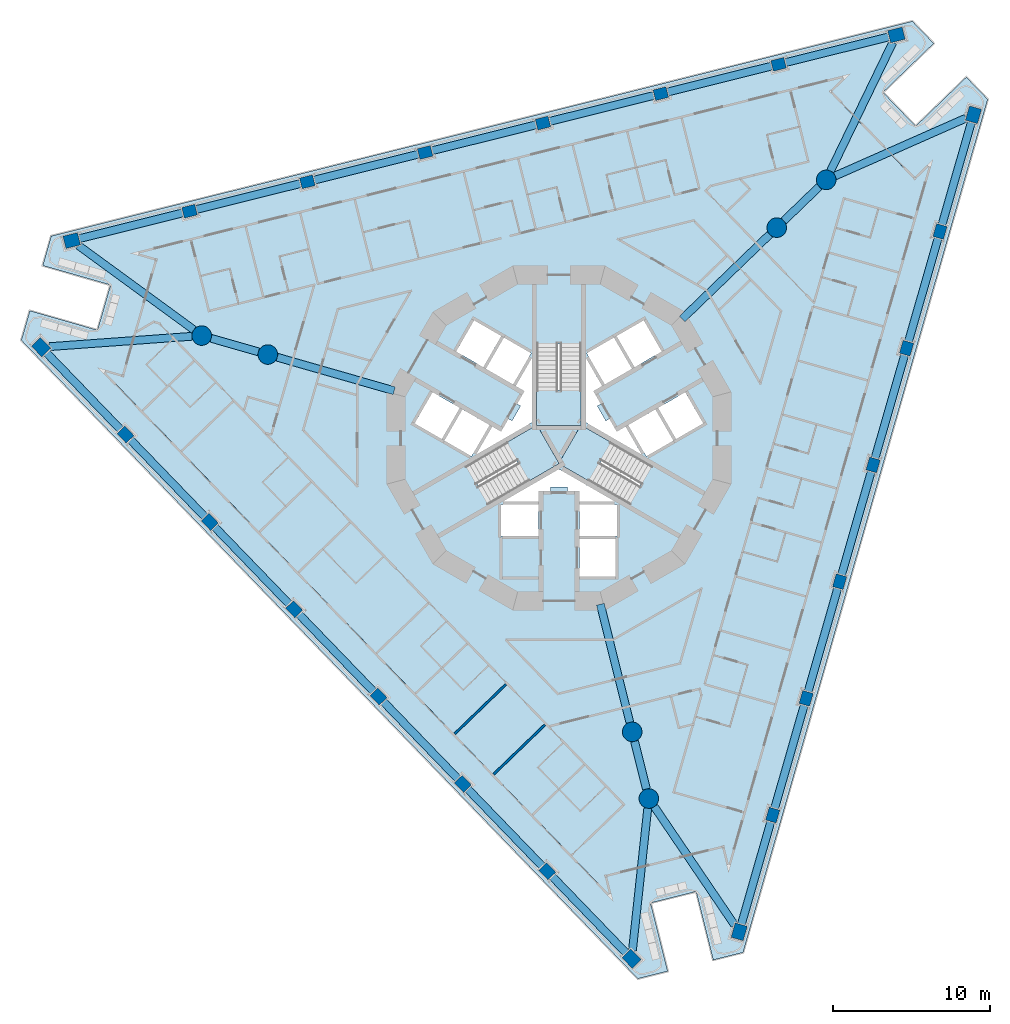
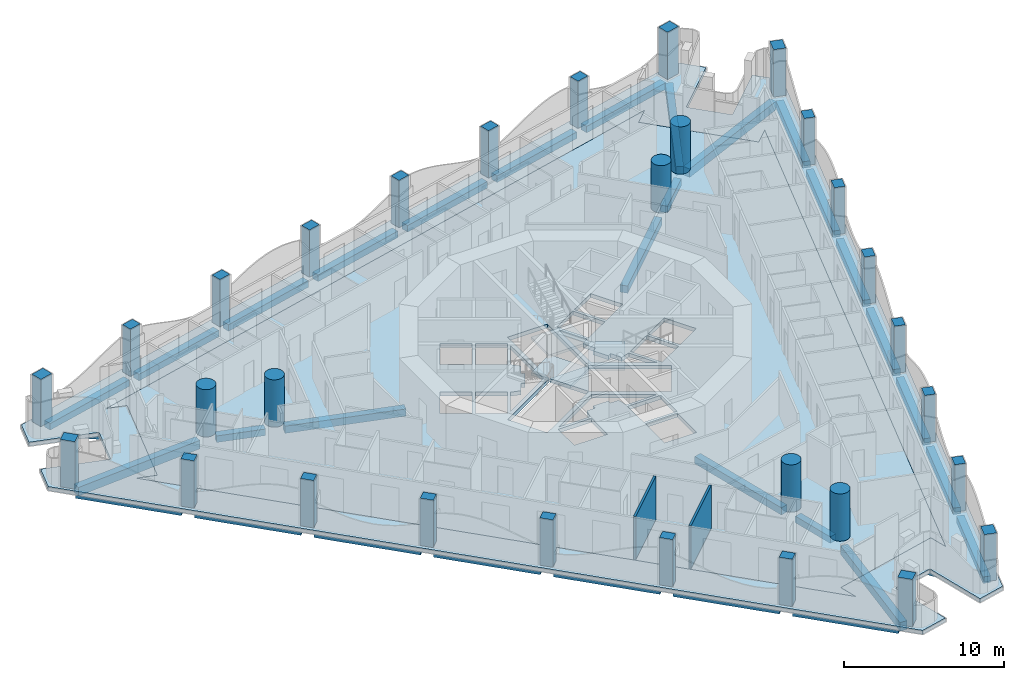
# One storey, part 1 of 19: 33 beams, 30 columns, 6 slabs, 2 walls, 3 elements without a shape of their own.
"""IFC4 building model written with IfcOpenShell, lengths in metres."""

from ifc_helpers import new_model, si_unit, direction, frame, frame_2d, origin, origin_2d, place, context, subcontext, project, spatial, polyline, rectangle, circle, outline, extrude, material, layer, layer_set, material_profile, profile_set, type_object, element, aggregate, save


model = new_model("IFC4")

# Units and contexts
model_context = context("Model", 3, precision=1e-05, world=origin(), true_north=direction((0.0, 1.0)))
body_context = subcontext(model_context, "Body", "Model", "MODEL_VIEW")
ifc_project = project(units=[si_unit("LENGTHUNIT", "METRE"), si_unit("AREAUNIT", "SQUARE_METRE"), si_unit("VOLUMEUNIT", "CUBIC_METRE"), si_unit("PLANEANGLEUNIT", "RADIAN"), si_unit("MASSUNIT", "GRAM", prefix="KILO")], contexts=[model_context])

# Site, building, storey
site_placement = place(None, origin())
site = spatial("IfcSite", under=ifc_project, at=site_placement, CompositionType="ELEMENT")
building_placement = place(site_placement, origin())
building = spatial("IfcBuilding", under=site, at=building_placement, Name="Trine Commons Tower", CompositionType="ELEMENT")
storey_placement = place(building_placement, frame((0.0, 0.0, 105.300048828125)))
storey = spatial("IfcBuildingStorey", under=building, at=storey_placement, Name="L26", CompositionType="ELEMENT", Elevation=105.300048828125)

# Columns
ifc_material_1 = material(Name="Concrete C70/85", Category="concrete")
ifc_material_profile_1 = material_profile(ifc_material_1, rectangle(XDim=0.85009765625, YDim=0.699951171875, at=origin_2d()), Name="RC 850x700")
ifc_profile_set_1 = profile_set([ifc_material_profile_1], Name="Concrete C70/85")
column_type_1 = type_object("IfcColumnType", Name="RC column 850x700, C70/85", PredefinedType="COLUMN", material=ifc_profile_set_1)
for number, where, z_axis, x_axis, name in (
    (1, (79.251708984375, 34.81640625, 0.0), (0.0, 0.0, 1.0), (-0.694658370459, 0.719339800339, 0.0), "Column PC3-02 L26"),
    (2, (73.86279296875, 40.396728515625, 0.0), (0.0, 0.0, 1.0), (-0.694658370459, 0.719339800339, 0.0), "Column PC3-03 L26"),
    (3, (68.473876953125, 45.977294921875, 0.0), (0.0, 0.0, 1.0), (-0.694658370459, 0.719339800339, 0.0), "Column PC3-04 L26"),
    (4, (63.0849609375, 51.5576171875, 0.0), (0.0, 0.0, 1.0), (-0.694658370459, 0.719339800339, 0.0), "Column PC3-05 L26"),
    (5, (57.696044921875, 57.137939453125, 0.0), (0.0, 0.0, 1.0), (-0.694658370459, 0.719339800339, 0.0), "Column PC3-06 L26"),
    (6, (52.30712890625, 62.71826171875, 0.0), (0.0, 0.0, 1.0), (-0.694658370459, 0.719339800339, 0.0), "Column PC3-07 L26"),
    (7, (56.3994140625, 76.98974609375, 0.0), (0.0, 0.0, 1.0), (0.970295726276, 0.2419218956, 0.0), "Column PC3-10 L26"),
    (8, (63.926513671875, 78.86669921875, 0.0), (0.0, 0.0, 1.0), (0.970295726276, 0.2419218956, 0.0), "Column PC3-11 L26"),
    (9, (71.453857421875, 80.743408203125, 0.0), (0.0, 0.0, 1.0), (0.970295726276, 0.2419218956, 0.0), "Column PC3-12 L26"),
    (10, (78.981201171875, 82.6201171875, 0.0), (0.0, 0.0, 1.0), (0.970295726276, 0.2419218956, 0.0), "Column PC3-13 L26"),
    (11, (86.50830078125, 84.496826171875, 0.0), (0.0, 0.0, 1.0), (0.970295726276, 0.2419218956, 0.0), "Column PC3-14 L26"),
    (12, (94.035400390625, 86.37353515625, 0.0), (0.0, 0.0, 1.0), (0.970295726276, 0.2419218956, 0.0), "Column PC3-15 L26"),
    (13, (104.348876953125, 75.69384765625, 0.0), (0.0, 0.0, 1.0), (0.275637355817, 0.961261695938, 0.0), "Column PC3-18 L26"),
    (14, (102.210693359375, 68.23681640625, 0.0), (0.0, 0.0, 1.0), (0.275637355817, 0.961261695938, 0.0), "Column PC3-19 L26"),
    (15, (100.072265625, 60.779541015625, 0.0), (0.0, 0.0, 1.0), (0.275637355817, 0.961261695938, 0.0), "Column PC3-20 L26"),
    (16, (97.93408203125, 53.322509765625, 0.0), (0.0, 0.0, 1.0), (0.275637355817, 0.961261695938, 0.0), "Column PC3-21 L26"),
    (17, (95.795654296875, 45.865234375, 0.0), (0.0, 0.0, 1.0), (0.275637355817, 0.961261695938, 0.0), "Column PC3-22 L26"),
    (18, (93.657470703125, 38.408203125, 0.0), (0.0, 0.0, 1.0), (0.275637355817, 0.961261695938, 0.0), "Column PC3-23 L26"),
):
    element("IfcColumn", number, at=place(storey_placement, frame(where, z_axis=z_axis, x_axis=x_axis)), inside=storey, type_object=column_type_1, Name=name, PredefinedType="COLUMN", context=body_context, shape_type="SweptSolid", body=[
        extrude(rectangle(XDim=0.85009765625, YDim=0.699951171875, at=origin_2d()), origin(), (0.0, 0.0, 1.0), 3.599853515625),
    ])
ifc_material_profile_2 = material_profile(ifc_material_1, rectangle(XDim=0.949951171875, YDim=0.800048828125, at=origin_2d()), Name="RC 950x800")
ifc_profile_set_2 = profile_set([ifc_material_profile_2], Name="Concrete C70/85")
column_type_2 = type_object("IfcColumnType", Name="RC column 950x800, C70/85", PredefinedType="COLUMN", material=ifc_profile_set_2)
for number, where, z_axis, x_axis, name in (
    (19, (84.640625, 29.236083984375, 0.0), (0.0, 0.0, 1.0), (-0.694658370459, 0.719339800339, 0.0), "Column PC3-01 L26"),
    (20, (46.918212890625, 68.298583984375, 0.0), (0.0, 0.0, 1.0), (-0.694658370459, 0.719339800339, 0.0), "Column PC3-08 L26"),
    (21, (48.872314453125, 75.113037109375, 0.0), (0.0, 0.0, 1.0), (0.970295726276, 0.2419218956, 0.0), "Column PC3-09 L26"),
    (22, (101.562744140625, 88.250244140625, 0.0), (0.0, 0.0, 1.0), (0.970295726276, 0.2419218956, 0.0), "Column PC3-16 L26"),
    (23, (106.4873046875, 83.15087890625, 0.0), (0.0, 0.0, 1.0), (0.275637355817, 0.961261695938, 0.0), "Column PC3-17 L26"),
    (24, (91.51904296875, 30.950927734375, 0.0), (0.0, 0.0, 1.0), (0.275637355817, 0.961261695938, 0.0), "Column PC3-24 L26"),
):
    element("IfcColumn", number, at=place(storey_placement, frame(where, z_axis=z_axis, x_axis=x_axis)), inside=storey, type_object=column_type_2, Name=name, PredefinedType="COLUMN", context=body_context, shape_type="SweptSolid", body=[
        extrude(rectangle(XDim=0.949951171875, YDim=0.800048828125, at=origin_2d()), origin(), (0.0, 0.0, 1.0), 3.599853515625),
    ])
ifc_material_profile_3 = material_profile(ifc_material_1, circle(Radius=0.625, at=origin_2d()), Name="RC round 1250")
ifc_profile_set_3 = profile_set([ifc_material_profile_3], Name="Concrete C70/85")
column_type_3 = type_object("IfcColumnType", Name="RC round column 1250 mm, C70/85", PredefinedType="COLUMN", material=ifc_profile_set_3)
for number, where, z_axis, x_axis, name in (
    (25, (84.6806640625, 43.726806640625, 0.0), (0.0, 0.0, 1.0), (1.0, 0.0, 0.0), "Column WC3-1 L26"),
    (26, (85.742919921875, 39.4658203125, 0.0), (0.0, 0.0, 1.0), (1.0, 0.0, 0.0), "Column WC3-2 L26"),
    (27, (93.917724609375, 75.940185546875, 0.0), (0.0, 0.0, 1.0), (1.0, 0.0, 0.0), "Column WC3-3 L26"),
    (28, (97.07666015625, 78.99072265625, 0.0), (0.0, 0.0, 1.0), (1.0, 0.0, 0.0), "Column WC3-4 L26"),
    (29, (61.401611328125, 67.8330078125, 0.0), (0.0, 0.0, 1.0), (1.0, 0.0, 0.0), "Column WC3-5 L26"),
    (30, (57.180419921875, 69.04345703125, 0.0), (0.0, 0.0, 1.0), (1.0, 0.0, 0.0), "Column WC3-6 L26"),
):
    element("IfcColumn", number, at=place(storey_placement, frame(where, z_axis=z_axis, x_axis=x_axis)), inside=storey, type_object=column_type_3, Name=name, PredefinedType="COLUMN", context=body_context, shape_type="SweptSolid", body=[
        extrude(circle(Radius=0.625, at=origin_2d()), origin(), (0.0, 0.0, 1.0), 3.599853515625),
    ])

# Beams
ifc_material_2 = material(Name="Concrete C50/60", Category="concrete")
ifc_material_profile_4 = material_profile(ifc_material_2, rectangle(XDim=0.5, YDim=0.5, at=origin_2d()), Name="RC 500x500")
ifc_profile_set_4 = profile_set([ifc_material_profile_4], Name="Concrete C50/60")
beam_type_1 = type_object("IfcBeamType", Name="RC beam 500x500, C50/60", PredefinedType="BEAM", material=ifc_profile_set_4)
beam_1_placement = place(storey_placement, frame((84.310791015625, 29.57763671875, -0.550048828125), z_axis=(-0.694663760793, 0.719334594915, 0.0), x_axis=(-0.719334594915, -0.694663760793, 0.0)))
element("IfcBeam", 31, at=beam_1_placement, inside=storey, type_object=beam_type_1, Name="Beam EB3-01 L26", PredefinedType="BEAM", context=body_context, shape_type="SweptSolid", body=[
    extrude(rectangle(XDim=0.5, YDim=0.5, at=origin_2d()), origin(), (0.0, 0.0, 1.0), 6.85791015625),
])
for number, where, z_axis, x_axis, name in (
    (32, (78.95654296875, 35.1220703125, -0.550048828125), (-0.694664521959, 0.719333859854, 0.0), (-0.719333859854, -0.694664521959, 0.0), "Beam EB3-02 L26"),
    (33, (73.567626953125, 40.702392578125, -0.550048828125), (-0.694664521959, 0.719333859854, 0.0), (-0.719333859854, -0.694664521959, 0.0), "Beam EB3-03 L26"),
    (34, (68.1787109375, 46.282958984375, -0.550048828125), (-0.694664521959, 0.719333859854, 0.0), (-0.719333859854, -0.694664521959, 0.0), "Beam EB3-04 L26"),
    (35, (62.789794921875, 51.86328125, -0.550048828125), (-0.694664521959, 0.719333859854, 0.0), (-0.719333859854, -0.694664521959, 0.0), "Beam EB3-05 L26"),
    (36, (57.40087890625, 57.443603515625, -0.550048828125), (-0.694664521959, 0.719333859854, 0.0), (-0.719333859854, -0.694664521959, 0.0), "Beam EB3-06 L26"),
):
    element("IfcBeam", number, at=place(storey_placement, frame(where, z_axis=z_axis, x_axis=x_axis)), inside=storey, type_object=beam_type_1, Name=name, PredefinedType="BEAM", context=body_context, shape_type="SweptSolid", body=[
        extrude(rectangle(XDim=0.5, YDim=0.5, at=origin_2d()), origin(), (0.0, 0.0, 1.0), 6.90771484375),
    ])
for number, where, z_axis, x_axis, name in (
    (37, (52.011962890625, 63.02392578125, -0.550048828125), (-0.694645339139, 0.71935238431, 0.0), (-0.71935238431, -0.694645339139, 0.0), "Beam EB3-07 L26"),
    (38, (49.3330078125, 75.22802734375, -0.550048828125), (0.970299359004, 0.241907325057, 0.0), (-0.241907325057, 0.970299359004, 0.0), "Beam EB3-08 L26"),
):
    element("IfcBeam", number, at=place(storey_placement, frame(where, z_axis=z_axis, x_axis=x_axis)), inside=storey, type_object=beam_type_1, Name=name, PredefinedType="BEAM", context=body_context, shape_type="SweptSolid", body=[
        extrude(rectangle(XDim=0.5, YDim=0.5, at=origin_2d()), origin(), (0.0, 0.0, 1.0), 6.857666015625),
    ])
beam_2_placement = place(storey_placement, frame((56.811767578125, 77.092529296875, -0.550048828125), z_axis=(0.970285783578, 0.241961770093, 0.0), x_axis=(-0.241961770093, 0.970285783578, 0.0)))
element("IfcBeam", 39, at=beam_2_placement, inside=storey, type_object=beam_type_1, Name="Beam EB3-09 L26", PredefinedType="BEAM", context=body_context, shape_type="SweptSolid", body=[
    extrude(rectangle(XDim=0.5, YDim=0.5, at=origin_2d()), origin(), (0.0, 0.0, 1.0), 6.90771484375),
])
for number, where, z_axis, x_axis, name in (
    (40, (64.339111328125, 78.969482421875, -0.550048828125), (0.970302376924, 0.241895219745, 0.0), (-0.241895219745, 0.970302376924, 0.0), "Beam EB3-10 L26"),
    (41, (71.8662109375, 80.84619140625, -0.550048828125), (0.970294080751, 0.241928495346, 0.0), (-0.241928495346, 0.970294080751, 0.0), "Beam EB3-11 L26"),
    (42, (79.3935546875, 82.722900390625, -0.550048828125), (0.970294080751, 0.241928495346, 0.0), (-0.241928495346, 0.970294080751, 0.0), "Beam EB3-12 L26"),
    (43, (86.920654296875, 84.599609375, -0.550048828125), (0.970294080751, 0.241928495346, 0.0), (-0.241928495346, 0.970294080751, 0.0), "Beam EB3-13 L26"),
):
    element("IfcBeam", number, at=place(storey_placement, frame(where, z_axis=z_axis, x_axis=x_axis)), inside=storey, type_object=beam_type_1, Name=name, PredefinedType="BEAM", context=body_context, shape_type="SweptSolid", body=[
        extrude(rectangle(XDim=0.5, YDim=0.5, at=origin_2d()), origin(), (0.0, 0.0, 1.0), 6.907470703125),
    ])
for number, where, z_axis, x_axis, name in (
    (44, (94.447998046875, 86.476318359375, -0.550048828125), (0.970288918196, 0.241949199679, 0.0), (-0.241949199679, 0.970288918196, 0.0), "Beam EB3-14 L26"),
    (45, (106.356201171875, 82.6943359375, -0.550048828125), (-0.275623797229, -0.961265583697, 0.0), (0.961265583697, -0.275623797229, 0.0), "Beam EB3-15 L26"),
):
    element("IfcBeam", number, at=place(storey_placement, frame(where, z_axis=z_axis, x_axis=x_axis)), inside=storey, type_object=beam_type_1, Name=name, PredefinedType="BEAM", context=body_context, shape_type="SweptSolid", body=[
        extrude(rectangle(XDim=0.5, YDim=0.5, at=origin_2d()), origin(), (0.0, 0.0, 1.0), 6.857666015625),
    ])
for number, where, z_axis, x_axis, name in (
    (46, (104.231689453125, 75.285400390625, -0.550048828125), (-0.275640588881, -0.961260768866, 0.0), (0.961260768866, -0.275640588881, 0.0), "Beam EB3-16 L26"),
    (47, (102.093505859375, 67.828125, -0.550048828125), (-0.275640588881, -0.961260768866, 0.0), (0.961260768866, -0.275640588881, 0.0), "Beam EB3-17 L26"),
    (48, (99.955078125, 60.37109375, -0.550048828125), (-0.275640588881, -0.961260768866, 0.0), (0.961260768866, -0.275640588881, 0.0), "Beam EB3-18 L26"),
    (49, (97.81689453125, 52.913818359375, -0.550048828125), (-0.275640588881, -0.961260768866, 0.0), (0.961260768866, -0.275640588881, 0.0), "Beam EB3-19 L26"),
    (50, (95.6787109375, 45.456787109375, -0.550048828125), (-0.275673246186, -0.961251403816, 0.0), (0.961251403816, -0.275673246186, 0.0), "Beam EB3-20 L26"),
):
    element("IfcBeam", number, at=place(storey_placement, frame(where, z_axis=z_axis, x_axis=x_axis)), inside=storey, type_object=beam_type_1, Name=name, PredefinedType="BEAM", context=body_context, shape_type="SweptSolid", body=[
        extrude(rectangle(XDim=0.5, YDim=0.5, at=origin_2d()), origin(), (0.0, 0.0, 1.0), 6.90771484375),
    ])
beam_3_placement = place(storey_placement, frame((93.540283203125, 37.99951171875, -0.550048828125), z_axis=(-0.275666126975, -0.961253445476, 0.0), x_axis=(0.961253445476, -0.275666126975, 0.0)))
element("IfcBeam", 51, at=beam_3_placement, inside=storey, type_object=beam_type_1, Name="Beam EB3-21 L26", PredefinedType="BEAM", context=body_context, shape_type="SweptSolid", body=[
    extrude(rectangle(XDim=0.5, YDim=0.5, at=origin_2d()), origin(), (0.0, 0.0, 1.0), 6.857421875),
])
beam_4_placement = place(storey_placement, frame((84.831787109375, 43.12109375, -0.550048828125), z_axis=(0.241895853777, -0.97030221886, 0.0), x_axis=(0.97030221886, 0.241895853777, 0.0)))
element("IfcBeam", 52, at=beam_4_placement, inside=storey, type_object=beam_type_1, Name="Beam RB3-02 L26", PredefinedType="BEAM", context=body_context, shape_type="SweptSolid", body=[
    extrude(rectangle(XDim=0.5, YDim=0.5, at=origin_2d()), origin(), (0.0, 0.0, 1.0), 3.142822265625),
])
beam_5_placement = place(storey_placement, frame((94.366943359375, 76.3740234375, -0.550048828125), z_axis=(0.719314434863, 0.694684636218, 0.0), x_axis=(-0.694684636218, 0.719314434863, 0.0)))
element("IfcBeam", 53, at=beam_5_placement, inside=storey, type_object=beam_type_1, Name="Beam RB3-04 L26", PredefinedType="BEAM", context=body_context, shape_type="SweptSolid", body=[
    extrude(rectangle(XDim=0.5, YDim=0.5, at=origin_2d()), origin(), (0.0, 0.0, 1.0), 3.142333984375),
])
beam_6_placement = place(storey_placement, frame((60.80126953125, 68.005126953125, -0.550048828125), z_axis=(-0.961274333375, 0.275593280026, 0.0), x_axis=(-0.275593280026, -0.961274333375, 0.0)))
element("IfcBeam", 54, at=beam_6_placement, inside=storey, type_object=beam_type_1, Name="Beam RB3-06 L26", PredefinedType="BEAM", context=body_context, shape_type="SweptSolid", body=[
    extrude(rectangle(XDim=0.5, YDim=0.5, at=origin_2d()), origin(), (0.0, 0.0, 1.0), 3.14208984375),
])
ifc_material_profile_5 = material_profile(ifc_material_2, rectangle(XDim=0.5, YDim=0.550048828125, at=origin_2d()), Name="RC 500x550")
ifc_profile_set_5 = profile_set([ifc_material_profile_5], Name="Concrete C50/60")
beam_type_2 = type_object("IfcBeamType", Name="RC beam 500x550, C50/60", PredefinedType="BEAM", material=ifc_profile_set_5)
beam_7_placement = place(storey_placement, frame((82.648681640625, 51.876708984375, -0.574951171875), z_axis=(0.241937131507, -0.970291927411, 0.0), x_axis=(0.970291927411, 0.241937131507, 0.0)))
element("IfcBeam", 55, at=beam_7_placement, inside=storey, type_object=beam_type_2, Name="Beam RB3-01 L26", PredefinedType="BEAM", context=body_context, shape_type="SweptSolid", body=[
    extrude(rectangle(XDim=0.5, YDim=0.550048828125, at=origin_2d()), origin(), (0.0, 0.0, 1.0), 7.775146484375),
])
beam_8_placement = place(storey_placement, frame((87.875732421875, 70.105712890625, -0.574951171875), z_axis=(0.719355467287, 0.694642146493, 0.0), x_axis=(-0.694642146493, 0.719355467287, 0.0)))
element("IfcBeam", 56, at=beam_8_placement, inside=storey, type_object=beam_type_2, Name="Beam RB3-03 L26", PredefinedType="BEAM", context=body_context, shape_type="SweptSolid", body=[
    extrude(rectangle(XDim=0.5, YDim=0.550048828125, at=origin_2d()), origin(), (0.0, 0.0, 1.0), 7.774658203125),
])
beam_9_placement = place(storey_placement, frame((69.4755859375, 65.517822265625, -0.574951171875), z_axis=(-0.961260445822, 0.275641715452, 0.0), x_axis=(-0.275641715452, -0.961260445822, 0.0)))
element("IfcBeam", 57, at=beam_9_placement, inside=storey, type_object=beam_type_2, Name="Beam RB3-05 L26", PredefinedType="BEAM", context=body_context, shape_type="SweptSolid", body=[
    extrude(rectangle(XDim=0.5, YDim=0.550048828125, at=origin_2d()), origin(), (0.0, 0.0, 1.0), 7.77490234375),
])
ifc_material_profile_6 = material_profile(ifc_material_2, rectangle(XDim=0.5, YDim=0.64990234375, at=origin_2d()), Name="RC 500x650")
ifc_profile_set_6 = profile_set([ifc_material_profile_6], Name="Concrete C50/60")
beam_type_3 = type_object("IfcBeamType", Name="RC beam 500x650, C50/60", PredefinedType="BEAM", material=ifc_profile_set_6)
for number, where, z_axis, x_axis, name in (
    (58, (47.437744140625, 68.33642578125, -0.625), (0.997376868149, 0.07238358157, 0.0), (-0.07238358157, 0.997376868149, 0.0), "Beam CB3-01 L26"),
    (59, (49.29296875, 74.8056640625, -0.625), (0.807466452888, -0.589913491506, 0.0), (0.589913491506, 0.807466452888, 0.0), "Beam CB3-02 L26"),
    (60, (101.33544921875, 87.781494140625, -0.625), (-0.435985897384, -0.899953497289, 0.0), (0.899953497289, -0.435985897384, 0.0), "Beam CB3-03 L26"),
    (61, (106.0107421875, 82.940185546875, -0.625), (-0.914616807383, -0.404321772419, 0.0), (0.404321772419, -0.914616807383, 0.0), "Beam CB3-04 L26"),
):
    element("IfcBeam", number, at=place(storey_placement, frame(where, z_axis=z_axis, x_axis=x_axis)), inside=storey, type_object=beam_type_3, Name=name, PredefinedType="BEAM", context=body_context, shape_type="SweptSolid", body=[
        extrude(rectangle(XDim=0.5, YDim=0.64990234375, at=origin_2d()), origin(), (0.0, 0.0, 1.0), 9.143798828125),
    ])
beam_10_placement = place(storey_placement, frame((91.2265625, 31.382080078125, -0.625), z_axis=(-0.561374083617, 0.827562165788, 0.0), x_axis=(-0.827562165788, -0.561374083617, 0.0)))
element("IfcBeam", 62, at=beam_10_placement, inside=storey, type_object=beam_type_3, Name="Beam CB3-05 L26", PredefinedType="BEAM", context=body_context, shape_type="SweptSolid", body=[
    extrude(rectangle(XDim=0.5, YDim=0.64990234375, at=origin_2d()), origin(), (0.0, 0.0, 1.0), 9.143310546875),
])
beam_11_placement = place(storey_placement, frame((84.696533203125, 29.75390625, -0.625), z_axis=(0.107125177559, 0.994245541269, 0.0), x_axis=(-0.994245541269, 0.107125177559, 0.0)))
element("IfcBeam", 63, at=beam_11_placement, inside=storey, type_object=beam_type_3, Name="Beam CB3-06 L26", PredefinedType="BEAM", context=body_context, shape_type="SweptSolid", body=[
    extrude(rectangle(XDim=0.5, YDim=0.64990234375, at=origin_2d()), origin(), (0.0, 0.0, 1.0), 9.1435546875),
])

# Slabs
ifc_layer_1 = layer(ifc_material_2, 0.300048828125)
ifc_layer_set_1 = layer_set([ifc_layer_1], Name="Concrete C50/60")
slab_type_1 = type_object("IfcSlabType", Name="Loggia slab 300 mm, C50/60", PredefinedType="FLOOR", material=ifc_layer_set_1)
slab_1_placement = place(storey_placement, frame((0.0, 0.0, -0.300048828125)))
element("IfcSlab", 64, at=slab_1_placement, inside=storey, type_object=slab_type_1, Name="Loggia slab L26", PredefinedType="FLOOR", context=body_context, shape_type="SweptSolid", body=[
    extrude(outline(polyline([(91.764892578125, 29.632080078125), (107.394775390625, 84.13916015625), (106.0302734375, 85.552001953125), (102.793212890625, 82.426025390625), (100.709228515625, 84.583984375), (103.9462890625, 87.7099609375), (102.581787109375, 89.122802734375), (47.562744140625, 75.405029296875), (47.021240234375, 73.516845703125), (51.346923828125, 72.276611328125), (50.52001953125, 69.392822265625), (46.1943359375, 70.63330078125), (45.653076171875, 68.7451171875), (85.04248046875, 27.9560546875), (86.948486328125, 28.43115234375), (85.85986328125, 32.797607421875), (88.7705078125, 33.523193359375), (89.859375, 29.156982421875), (91.764892578125, 29.632080078125)]), holes=[polyline([(83.27587890625, 33.240478515625), (82.950439453125, 34.545654296875), (90.518798828125, 36.4326171875), (90.843994140625, 35.12744140625), (103.701416015625, 79.966796875), (102.73388671875, 79.032470703125), (97.315673828125, 84.643310546875), (98.283203125, 85.577392578125), (53.022705078125, 74.292724609375), (54.3154296875, 73.922119140625), (52.16552734375, 66.42431640625), (50.872802734375, 66.794921875), (83.27587890625, 33.240478515625)])]), origin(), (0.0, 0.0, 1.0), 0.300048828125),
])
ifc_layer_2 = layer(ifc_material_2, 0.300048828125)
ifc_layer_set_2 = layer_set([ifc_layer_2], Name="Concrete C50/60")
slab_type_2 = type_object("IfcSlabType", Name="PT flat slab 300 mm, C50/60", PredefinedType="FLOOR", material=ifc_layer_set_2)
slab_2_placement = place(storey_placement, frame((0.0, 0.0, -0.300048828125)))
element("IfcSlab", 65, at=slab_2_placement, inside=storey, type_object=slab_type_2, Name="Floor slab L26", PredefinedType="FLOOR", context=body_context, shape_type="SweptSolid", body=[
    extrude(outline(polyline([(50.872802734375, 66.794921875), (83.27587890625, 33.240478515625), (82.950439453125, 34.545654296875), (90.518798828125, 36.4326171875), (90.843994140625, 35.12744140625), (103.701416015625, 79.966796875), (102.73388671875, 79.032470703125), (97.315673828125, 84.643310546875), (98.283203125, 85.577392578125), (53.022705078125, 74.292724609375), (54.3154296875, 73.922119140625), (52.16552734375, 66.42431640625), (50.872802734375, 66.794921875)]), holes=[polyline([(76.300048828125, 56.25), (78.699951171875, 56.25), (78.699951171875, 58.25), (76.300048828125, 58.25), (76.300048828125, 56.25)]), polyline([(81.14990234375, 59.10009765625), (81.300048828125, 58.449951171875), (83.56494140625, 58.449951171875), (80.0, 60.508056640625), (76.43505859375, 58.449951171875), (78.699951171875, 58.449951171875), (78.85009765625, 59.10009765625), (79.449951171875, 59.10009765625), (79.449951171875, 59.360107421875), (80.550048828125, 59.360107421875), (80.550048828125, 59.10009765625), (81.14990234375, 59.10009765625)]), polyline([(80.0, 60.8544921875), (84.4755859375, 58.2705078125), (85.900390625, 60.73876953125), (81.425048828125, 63.32275390625), (81.425048828125, 68.490478515625), (78.574951171875, 68.490478515625), (78.574951171875, 63.32275390625), (74.099609375, 60.73876953125), (75.5244140625, 58.2705078125), (80.0, 60.8544921875)]), polyline([(73.83740234375, 64.325927734375), (72.687255859375, 62.333984375), (74.41943359375, 61.333984375), (75.5693359375, 63.325927734375), (73.83740234375, 64.325927734375)]), polyline([(71.93212890625, 65.426025390625), (70.781982421875, 63.43408203125), (72.51416015625, 62.43408203125), (73.6640625, 64.426025390625), (71.93212890625, 65.426025390625)]), polyline([(76.781005859375, 63.722900390625), (76.381103515625, 63.031005859375), (75.742919921875, 63.22607421875), (74.7099609375, 61.43798828125), (78.27490234375, 63.49609375), (78.27490234375, 67.612060546875), (77.242919921875, 65.823974609375), (77.73095703125, 65.368896484375), (77.3310546875, 64.676025390625), (77.555908203125, 64.5458984375), (77.006103515625, 63.593994140625), (76.781005859375, 63.722900390625)]), polyline([(76.4873046875, 68.916015625), (75.33740234375, 66.924072265625), (77.0693359375, 65.924072265625), (78.219482421875, 67.916015625), (76.4873046875, 68.916015625)]), polyline([(74.58203125, 70.015869140625), (73.43212890625, 68.02392578125), (75.1640625, 67.02392578125), (76.314208984375, 69.015869140625), (74.58203125, 70.015869140625)]), polyline([(81.300048828125, 53.64990234375), (83.60009765625, 53.64990234375), (83.60009765625, 56.050048828125), (81.300048828125, 56.050048828125), (81.300048828125, 53.64990234375)]), polyline([(81.300048828125, 56.25), (83.699951171875, 56.25), (83.699951171875, 58.25), (81.300048828125, 58.25), (81.300048828125, 56.25)]), polyline([(87.312744140625, 62.333984375), (86.16259765625, 64.325927734375), (84.4306640625, 63.325927734375), (85.58056640625, 61.333984375), (87.312744140625, 62.333984375)]), polyline([(89.218017578125, 63.43408203125), (88.06787109375, 65.426025390625), (86.3359375, 64.426025390625), (87.48583984375, 62.43408203125), (89.218017578125, 63.43408203125)]), polyline([(83.243896484375, 63.738037109375), (82.993896484375, 63.593994140625), (82.444091796875, 64.5458984375), (82.72705078125, 64.7099609375), (82.281005859375, 65.549072265625), (82.757080078125, 65.823974609375), (81.72509765625, 67.612060546875), (81.72509765625, 63.49609375), (85.2900390625, 61.43798828125), (84.257080078125, 63.22607421875), (83.618896484375, 63.031005859375), (83.243896484375, 63.738037109375)]), polyline([(82.9306640625, 65.924072265625), (84.66259765625, 66.924072265625), (83.5126953125, 68.916015625), (81.780517578125, 67.916015625), (82.9306640625, 65.924072265625)]), polyline([(84.8359375, 67.02392578125), (86.56787109375, 68.02392578125), (85.41796875, 70.015869140625), (83.685791015625, 69.015869140625), (84.8359375, 67.02392578125)])]), origin(), (0.0, 0.0, 1.0), 0.300048828125),
])
slab_3_placement = place(storey_placement, frame((0.0, 0.0, -0.300048828125)))
element("IfcSlab", 66, at=slab_3_placement, inside=storey, type_object=slab_type_2, Name="Floor slab L26 2", PredefinedType="FLOOR", context=body_context, shape_type="SweptSolid", body=[
    extrude(outline(polyline([(78.61328125, 63.300537109375), (80.0, 60.89892578125), (81.38671875, 63.300537109375), (78.61328125, 63.300537109375)])), origin(), (0.0, 0.0, 1.0), 0.300048828125),
])

# Stair, slab
stair_type = type_object("IfcStairType", Name="Exit stair, dog-leg, 24 risers of 150 mm", PredefinedType="HALF_TURN_STAIR", material=ifc_material_2)
stair_1_placement = place(storey_placement, origin())
stair_1 = element("IfcStair", 67, at=stair_1_placement, inside=storey, type_object=stair_type, Name="L26 Exit stair ST1A", PredefinedType="HALF_TURN_STAIR")
ifc_layer_3 = layer(ifc_material_2, 0.199951171875)
ifc_layer_set_3 = layer_set([ifc_layer_3], Name="Concrete C50/60")
slab_type_3 = type_object("IfcSlabType", Name="Stair landing slab 200 mm, C50/60", PredefinedType="LANDING", material=ifc_layer_set_3)
slab_4_placement = place(storey_placement, frame((0.0, 0.0, 1.599853515625)))
slab_4 = element("IfcSlab", 68, at=slab_4_placement, type_object=slab_type_3, Name="ST1A landing 1", PredefinedType="LANDING", context=body_context, shape_type="SweptSolid", body=[
    extrude(outline(polyline([(78.574951171875, 65.570556640625), (78.574951171875, 63.300537109375), (81.425048828125, 63.300537109375), (81.425048828125, 65.570556640625), (78.574951171875, 65.570556640625)])), origin(), (0.0, 0.0, 1.0), 0.2001953125),
])
aggregate(stair_1, [slab_4])

stair_2_placement = place(storey_placement, origin())
stair_2 = element("IfcStair", 69, at=stair_2_placement, inside=storey, type_object=stair_type, Name="L26 Exit stair ST2A", PredefinedType="HALF_TURN_STAIR")
slab_5_placement = place(storey_placement, frame((0.0, 0.0, 1.599853515625)))
slab_5 = element("IfcSlab", 70, at=slab_5_placement, type_object=slab_type_3, Name="ST2A landing 1", PredefinedType="LANDING", context=body_context, shape_type="SweptSolid", body=[
    extrude(outline(polyline([(78.05322265625, 59.730712890625), (80.019287109375, 60.86572265625), (78.59423828125, 63.333740234375), (76.628173828125, 62.19873046875), (78.05322265625, 59.730712890625)])), origin(), (0.0, 0.0, 1.0), 0.2001953125),
])
aggregate(stair_2, [slab_5])

stair_3_placement = place(storey_placement, origin())
stair_3 = element("IfcStair", 71, at=stair_3_placement, inside=storey, type_object=stair_type, Name="L26 Exit stair ST3A", PredefinedType="HALF_TURN_STAIR")
slab_6_placement = place(storey_placement, frame((0.0, 0.0, 1.599853515625)))
slab_6 = element("IfcSlab", 72, at=slab_6_placement, type_object=slab_type_3, Name="ST3A landing 1", PredefinedType="LANDING", context=body_context, shape_type="SweptSolid", body=[
    extrude(outline(polyline([(83.371826171875, 62.19873046875), (81.40576171875, 63.333740234375), (79.980712890625, 60.86572265625), (81.94677734375, 59.730712890625), (83.371826171875, 62.19873046875)])), origin(), (0.0, 0.0, 1.0), 0.2001953125),
])
aggregate(stair_3, [slab_6])

# Walls
ifc_material_3 = material(Name="Gypsum plasterboard on steel stud", Category="steel")
ifc_layer_4 = layer(ifc_material_3, 0.14990234375)
ifc_layer_set_4 = layer_set([ifc_layer_4], Name="Gypsum plasterboard on steel stud")
wall_type = type_object("IfcWallType", Name="Unit and corridor wall 150 mm, EI 60", PredefinedType="PARTITIONING", material=ifc_layer_set_4)
wall_1_placement = place(storey_placement, frame((73.334716796875, 43.5927734375, 0.0), z_axis=(0.0, 0.0, 1.0), x_axis=(0.719252426756, 0.694748837067, 0.0)))
element("IfcWall", 73, at=wall_1_placement, inside=storey, type_object=wall_type, Name="Partition 054", PredefinedType="PARTITIONING", context=body_context, shape_type="SweptSolid", body=[
    extrude(rectangle(XDim=4.5732421875, YDim=0.14990234375, at=frame_2d((2.28662109375, 0.0))), origin(), (0.0, 0.0, 1.0), 3.300048828125),
])
wall_2_placement = place(storey_placement, frame((75.826904296875, 41.01171875, 0.0), z_axis=(0.0, 0.0, 1.0), x_axis=(0.719333374814, 0.694665024223, 0.0)))
element("IfcWall", 74, at=wall_2_placement, inside=storey, type_object=wall_type, Name="Partition 059", PredefinedType="PARTITIONING", context=body_context, shape_type="SweptSolid", body=[
    extrude(rectangle(XDim=4.572265625, YDim=0.14990234375, at=frame_2d((2.2861328125, 0.0))), origin(), (0.0, 0.0, 1.0), 3.300048828125),
])

save(model, "model.ifc")
